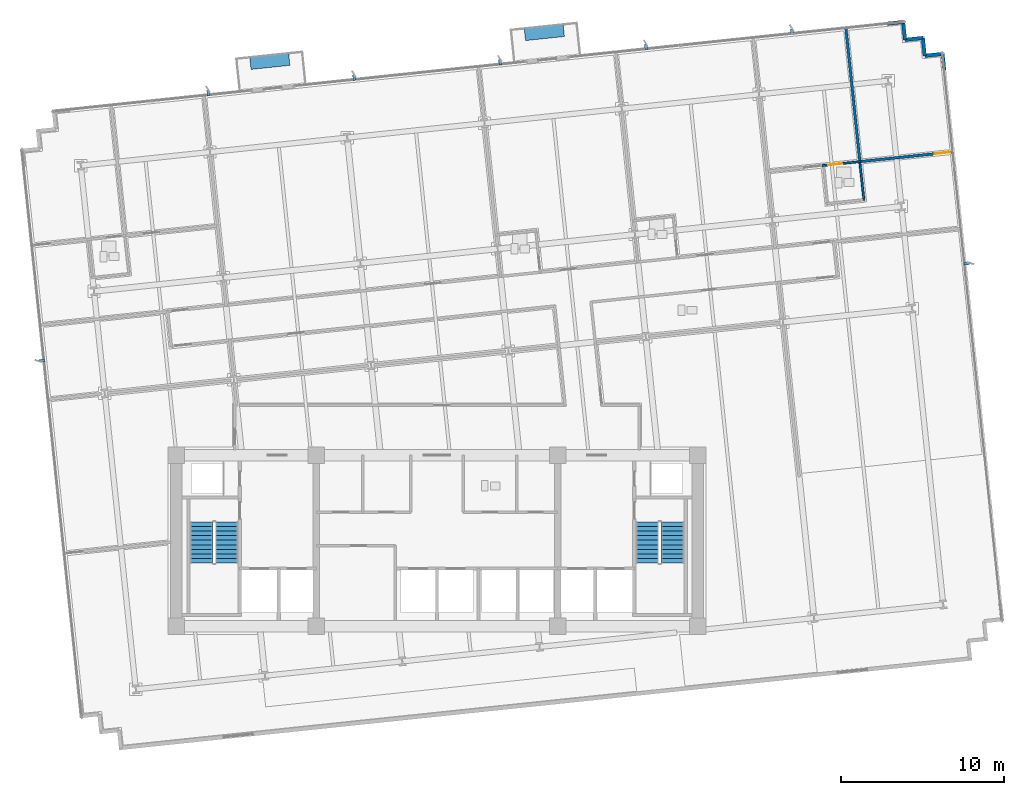
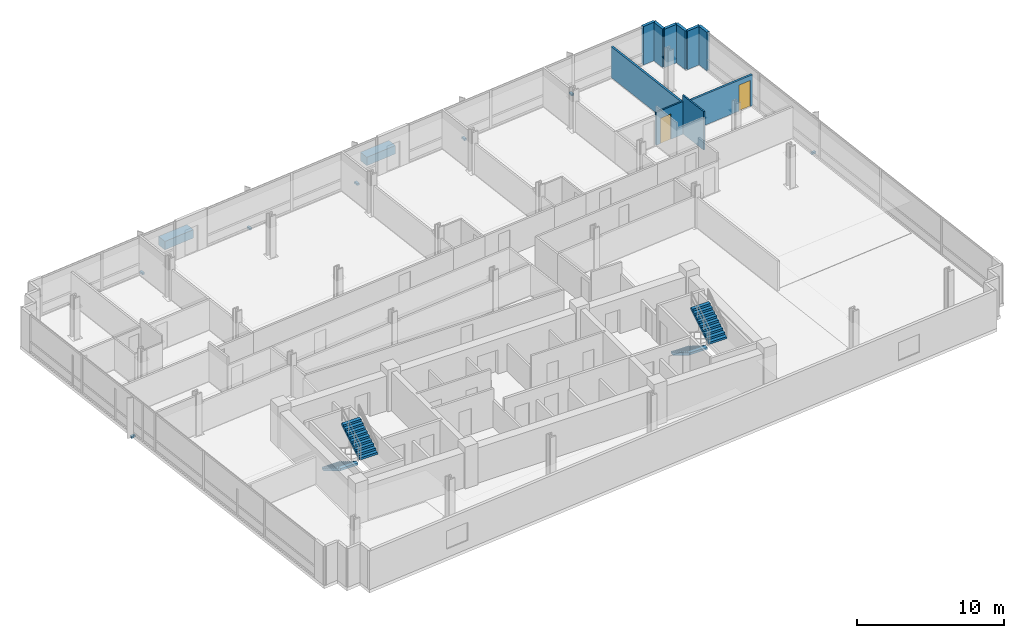
# One storey, part 13 of 18: 10 walls, 9 discrete accessories, 4 stair flights, 2 doors, 2 openings, 2 elements without a shape of their own.
"""IFC4 building model written with IfcOpenShell, lengths in metres."""

from ifc_helpers import new_model, si_unit, direction, frame, frame_2d, origin, origin_2d, place, context, subcontext, project, spatial, polyline, rectangle, outline, extrude, material, layer, layer_set, type_object, element, fill, aggregate, save


model = new_model("IFC4")

# Units and contexts
model_context = context("Model", 3, precision=1e-05, world=origin(), true_north=direction((0.0, 1.0)))
body_context = subcontext(model_context, "Body", "Model", "MODEL_VIEW")
ifc_project = project(units=[si_unit("LENGTHUNIT", "METRE"), si_unit("AREAUNIT", "SQUARE_METRE"), si_unit("VOLUMEUNIT", "CUBIC_METRE"), si_unit("PLANEANGLEUNIT", "RADIAN"), si_unit("MASSUNIT", "GRAM", prefix="KILO")], contexts=[model_context])

# Site, building, storey
site_placement = place(None, origin())
site = spatial("IfcSite", under=ifc_project, at=site_placement, CompositionType="ELEMENT")
building_placement = place(site_placement, origin())
building = spatial("IfcBuilding", under=site, at=building_placement, Name="Solmavex Isthmus Hotel", CompositionType="ELEMENT")
storey_placement = place(building_placement, frame((0.0, 0.0, 123.60009765625)))
storey = spatial("IfcBuildingStorey", under=building, at=storey_placement, Name="L33", CompositionType="ELEMENT", Elevation=123.60009765625)

# Walls
ifc_material_1 = material(Name="Precast Concrete C40/50", Category="concrete")
ifc_layer_1 = layer(ifc_material_1, 0.25)
ifc_layer_set_1 = layer_set([ifc_layer_1], Name="Precast Concrete C40/50")
wall_type_1 = type_object("IfcWallType", Name="EW-TWR-250", PredefinedType="STANDARD", material=ifc_layer_set_1)
wall_1_placement = place(storey_placement, frame((27.609130859375, 23.966552734375, 0.0), z_axis=(0.0, 0.0, 1.0), x_axis=(0.994516259927, 0.104582067016, 0.0)))
element("IfcWall", 1, at=wall_1_placement, inside=storey, type_object=wall_type_1, Name="Serrated Corner Facade Panel L33-14", PredefinedType="STANDARD", context=body_context, shape_type="SweptSolid", body=[
    extrude(rectangle(XDim=0.98974609375, YDim=0.219970703125, at=frame_2d((0.494873046875, 0.0))), origin(), (0.0, 0.0, 1.0), 3.18994140625),
])
for number, where, z_axis, x_axis, name in (
    (2, (28.593505859375, 24.070068359375, 0.0), (0.0, 0.0, 1.0), (0.104534592565, -0.994521251134, 0.0), "Serrated Corner Facade Panel L33-15"),
    (3, (28.70849609375, 22.97607421875, 0.0), (0.0, 0.0, 1.0), (0.994521251134, 0.104534592565, 0.0), "Serrated Corner Facade Panel L33-16"),
    (4, (29.802490234375, 23.091064453125, 0.0), (0.0, 0.0, 1.0), (0.104534592565, -0.994521251134, 0.0), "Serrated Corner Facade Panel L33-17"),
    (5, (29.91748046875, 21.9970703125, 0.0), (0.0, 0.0, 1.0), (0.994521251134, 0.104534592565, 0.0), "Serrated Corner Facade Panel L33-18"),
):
    element("IfcWall", number, at=place(storey_placement, frame(where, z_axis=z_axis, x_axis=x_axis)), inside=storey, type_object=wall_type_1, Name=name, PredefinedType="STANDARD", context=body_context, shape_type="SweptSolid", body=[
        extrude(rectangle(XDim=1.10009765625, YDim=0.219970703125, at=frame_2d((0.550048828125, 0.0))), origin(), (0.0, 0.0, 1.0), 3.18994140625),
    ])
wall_2_placement = place(storey_placement, frame((31.011474609375, 22.112060546875, 0.0), z_axis=(0.0, 0.0, 1.0), x_axis=(0.104556418955, -0.99451895671, 0.0)))
element("IfcWall", 6, at=wall_2_placement, inside=storey, type_object=wall_type_1, Name="Serrated Corner Facade Panel L33-19", PredefinedType="STANDARD", context=body_context, shape_type="SweptSolid", body=[
    extrude(rectangle(XDim=0.989990234375, YDim=0.219970703125, at=frame_2d((0.4951171875, 0.0))), origin(), (0.0, 0.0, 1.0), 3.18994140625),
])

# Wall, opening, door
ifc_material_2 = material(Name="Gypsum plasterboard lining", Category="gypsum")
ifc_layer_2 = layer(ifc_material_2, 0.159912109375)
ifc_layer_set_2 = layer_set([ifc_layer_2], Name="Gypsum plasterboard lining")
wall_type_2 = type_object("IfcWallType", Name="IW-COMP-160", PredefinedType="PARTITIONING", material=ifc_layer_set_2)
wall_3_placement = place(storey_placement, frame((25.890869140625, 15.49853515625, 0.0), z_axis=(0.0, 0.0, 1.0), x_axis=(0.994522696848, 0.104520837413, 0.0)))
wall_3 = element("IfcWall", 7, at=wall_3_placement, inside=storey, type_object=wall_type_2, Name="Interior Partition Wall W-L33-P049", PredefinedType="PARTITIONING", context=body_context, shape_type="SweptSolid", body=[
    extrude(rectangle(XDim=5.813720703125, YDim=0.159912109375, at=frame_2d((2.90673828125, 0.0))), origin(), (0.0, 0.0, 1.0), 2.55322265625),
])
opening_1_placement = place(wall_3_placement, frame((4.654052734375, 0.0, 0.0)))
opening_1 = element("IfcOpeningElement", 8, at=opening_1_placement, cuts=wall_3, Name="Opening ID-C095", PredefinedType="OPENING", context=body_context, shape_type="SweptSolid", body=[
    extrude(rectangle(XDim=0.949951171875, YDim=2.14990234375, at=frame_2d((0.47509765625, 1.074951171875))), frame((0.0, 0.08984375, 0.0), z_axis=(0.0, -1.0, 0.0), x_axis=(1.0, 0.0, 0.0)), (0.0, 0.0, 1.0), 0.179931640625),
])
ifc_material_3 = material(Name="Hardwood timber", Category="wood")
door_type_1 = type_object("IfcDoorType", Name="IDR-FD60-0950", OperationType="NOTDEFINED", PredefinedType="DOOR", material=ifc_material_3)
door_1_placement = place(opening_1_placement, origin())
door_1 = element("IfcDoor", 9, at=door_1_placement, inside=storey, type_object=door_type_1, Name="Ambassador Panorama Suite Panorama Sitting Study Door L33-12", OperationType="SINGLE_SWING_RIGHT", OverallHeight=2.14990234375, OverallWidth=0.949951171875, PredefinedType="DOOR", context=body_context, shape_type="SweptSolid", body=[
    extrude(rectangle(XDim=0.949951171875, YDim=2.14990234375, at=frame_2d((0.47509765625, 1.074951171875))), frame((0.0, 0.02490234375, 0.0), z_axis=(0.0, -1.0, 0.0), x_axis=(1.0, 0.0, 0.0)), (0.0, 0.0, 1.0), 0.050048828125),
])
fill(opening_1, door_1)

# Walls
wall_4_placement = place(storey_placement, frame((25.075927734375, 23.73046875, 0.0), z_axis=(0.0, 0.0, 1.0), x_axis=(0.104504368376, -0.994524427548, 0.0)))
element("IfcWall", 10, at=wall_4_placement, inside=storey, type_object=wall_type_2, Name="Interior Partition Wall W-L33-P054", PredefinedType="PARTITIONING", context=body_context, shape_type="SweptSolid", body=[
    extrude(rectangle(XDim=8.31201171875, YDim=0.159912109375, at=frame_2d((4.156005859375, 0.0))), origin(), (0.0, 0.0, 1.0), 2.55322265625),
])
ifc_layer_3 = layer(ifc_material_2, 0.1201171875)
ifc_layer_set_3 = layer_set([ifc_layer_3], Name="Gypsum plasterboard lining")
wall_type_3 = type_object("IfcWallType", Name="IW-PART-120", PredefinedType="PARTITIONING", material=ifc_layer_set_3)
wall_5_placement = place(storey_placement, frame((26.1904296875, 13.126953125, 0.0), z_axis=(0.0, 0.0, 1.0), x_axis=(-0.108711078051, 0.994073388392, 0.0)))
element("IfcWall", 11, at=wall_5_placement, inside=storey, type_object=wall_type_3, Name="Interior Partition Wall W-L33-P052", PredefinedType="PARTITIONING", context=body_context, shape_type="SweptSolid", body=[
    extrude(rectangle(XDim=2.429931640625, YDim=0.1201171875, at=frame_2d((1.21484375, 0.0))), origin(), (0.0, 0.0, 1.0), 3.18994140625),
])

# Wall, opening, door
wall_6_placement = place(storey_placement, frame((25.980224609375, 15.508056640625, 0.0), z_axis=(0.0, 0.0, 1.0), x_axis=(-0.994516727228, -0.104577623149, 0.0)))
wall_6 = element("IfcWall", 12, at=wall_6_placement, inside=storey, type_object=wall_type_3, Name="Interior Partition Wall W-L33-P055", PredefinedType="PARTITIONING", context=body_context, shape_type="SweptSolid", body=[
    extrude(rectangle(XDim=2.371826171875, YDim=0.1201171875, at=frame_2d((1.18603515625, 0.0))), origin(), (0.0, 0.0, 1.0), 2.718017578125),
])
opening_2_placement = place(wall_6_placement, frame((1.14599609375, 0.0, 0.0)))
opening_2 = element("IfcOpeningElement", 13, at=opening_2_placement, cuts=wall_6, Name="Opening ID-U085", PredefinedType="OPENING", context=body_context, shape_type="SweptSolid", body=[
    extrude(rectangle(XDim=0.85009765625, YDim=2.10009765625, at=frame_2d((0.425048828125, 1.050048828125))), frame((0.0, 0.070068359375, 0.0), z_axis=(0.0, -1.0, 0.0), x_axis=(1.0, 0.0, 0.0)), (0.0, 0.0, 1.0), 0.14013671875),
])
door_type_2 = type_object("IfcDoorType", Name="IDR-UNR-0850", OperationType="NOTDEFINED", PredefinedType="DOOR", material=ifc_material_3)
door_2_placement = place(opening_2_placement, frame((0.85009765625, 0.0, 0.0), z_axis=(0.0, 0.0, 1.0), x_axis=(-1.0, 0.0, 0.0)))
door_2 = element("IfcDoor", 14, at=door_2_placement, inside=storey, type_object=door_type_2, Name="En-suite Bathroom Door L33-13", OperationType="SINGLE_SWING_LEFT", OverallHeight=2.10009765625, OverallWidth=0.85009765625, PredefinedType="DOOR", context=body_context, shape_type="SweptSolid", body=[
    extrude(rectangle(XDim=0.85009765625, YDim=2.10009765625, at=frame_2d((0.425048828125, 1.050048828125))), frame((0.0, 0.02490234375, 0.0), z_axis=(0.0, -1.0, 0.0), x_axis=(1.0, 0.0, 0.0)), (0.0, 0.0, 1.0), 0.050048828125),
])
fill(opening_2, door_2)

# Stair, stair flights
ifc_material_4 = material(Name="Concrete C40/50", Category="concrete")
stair_type_1 = type_object("IfcStairType", Name="STR-ST-1", PredefinedType="HALF_TURN_STAIR", material=ifc_material_4)
stair_1_placement = place(storey_placement, origin())
stair_1 = element("IfcStair", 15, at=stair_1_placement, inside=storey, type_object=stair_type_1, Name="L33 Protected Exit Stair ST-1", PredefinedType="HALF_TURN_STAIR")
stair_flight_type_1 = type_object("IfcStairFlightType", Name="SFL-ST-1", PredefinedType="STRAIGHT", material=ifc_material_4)
stair_flight_1_placement = place(storey_placement, frame((-14.449951171875, -6.60009765625, 0.0), z_axis=(0.0, 0.0, 1.0), x_axis=(0.0, -1.0, 0.0)))
stair_flight_1 = element("IfcStairFlight", 16, at=stair_flight_1_placement, type_object=stair_flight_type_1, Name="ST-1 flight 1", NumberOfRisers=10, NumberOfTreads=9, PredefinedType="STRAIGHT", RiserHeight=0.1725, TreadLength=0.28, context=body_context, shape_type="SweptSolid", body=[
    extrude(outline(polyline([(0.0, 0.0), (0.0, 0.172607421875), (0.280029296875, 0.172607421875), (0.280029296875, 0.344970703125), (0.56005859375, 0.344970703125), (0.56005859375, 0.517578125), (0.840087890625, 0.517578125), (0.840087890625, 0.68994140625), (1.1201171875, 0.68994140625), (1.1201171875, 0.862548828125), (1.39990234375, 0.862548828125), (1.39990234375, 1.034912109375), (1.679931640625, 1.034912109375), (1.679931640625, 1.20751953125), (1.9599609375, 1.20751953125), (1.9599609375, 1.3798828125), (2.239990234375, 1.3798828125), (2.239990234375, 1.552490234375), (2.52001953125, 1.552490234375), (2.52001953125, 1.72509765625), (2.52001953125, 1.37646484375), (0.285888671875, 0.0), (0.0, 0.0)])), frame((0.0, 0.699951171875, 0.0), z_axis=(0.0, -1.0, 0.0), x_axis=(1.0, 0.0, 0.0)), (0.0, 0.0, 1.0), 1.39990234375),
])
stair_flight_2_placement = place(storey_placement, frame((-12.89990234375, -9.1201171875, 1.724853515625), z_axis=(0.0, 0.0, 1.0), x_axis=(0.0, 1.0, 0.0)))
stair_flight_2 = element("IfcStairFlight", 17, at=stair_flight_2_placement, type_object=stair_flight_type_1, Name="ST-1 flight 2", NumberOfRisers=10, NumberOfTreads=9, PredefinedType="STRAIGHT", RiserHeight=0.1725, TreadLength=0.28, context=body_context, shape_type="SweptSolid", body=[
    extrude(outline(polyline([(0.0, 0.0), (0.0, 0.172607421875), (0.280029296875, 0.172607421875), (0.280029296875, 0.344970703125), (0.56005859375, 0.344970703125), (0.56005859375, 0.517578125), (0.840087890625, 0.517578125), (0.840087890625, 0.68994140625), (1.1201171875, 0.68994140625), (1.1201171875, 0.862548828125), (1.39990234375, 0.862548828125), (1.39990234375, 1.034912109375), (1.679931640625, 1.034912109375), (1.679931640625, 1.20751953125), (1.9599609375, 1.20751953125), (1.9599609375, 1.3798828125), (2.239990234375, 1.3798828125), (2.239990234375, 1.552490234375), (2.52001953125, 1.552490234375), (2.52001953125, 1.72509765625), (2.52001953125, 1.37646484375), (0.285888671875, 0.0), (0.0, 0.0)])), frame((0.0, 0.699951171875, 0.0), z_axis=(0.0, -1.0, 0.0), x_axis=(1.0, 0.0, 0.0)), (0.0, 0.0, 1.0), 1.39990234375),
])
aggregate(stair_1, [stair_flight_1, stair_flight_2])

stair_type_2 = type_object("IfcStairType", Name="STR-ST-2", PredefinedType="HALF_TURN_STAIR", material=ifc_material_4)
stair_2_placement = place(storey_placement, origin())
stair_2 = element("IfcStair", 18, at=stair_2_placement, inside=storey, type_object=stair_type_2, Name="L33 Protected Exit Stair ST-2", PredefinedType="HALF_TURN_STAIR")
stair_flight_type_2 = type_object("IfcStairFlightType", Name="SFL-ST-2", PredefinedType="STRAIGHT", material=ifc_material_4)
stair_flight_3_placement = place(storey_placement, frame((12.89990234375, -6.60009765625, 0.0), z_axis=(0.0, 0.0, 1.0), x_axis=(0.0, -1.0, 0.0)))
stair_flight_3 = element("IfcStairFlight", 19, at=stair_flight_3_placement, type_object=stair_flight_type_2, Name="ST-2 flight 1", NumberOfRisers=10, NumberOfTreads=9, PredefinedType="STRAIGHT", RiserHeight=0.1725, TreadLength=0.28, context=body_context, shape_type="SweptSolid", body=[
    extrude(outline(polyline([(0.0, 0.0), (0.0, 0.172607421875), (0.280029296875, 0.172607421875), (0.280029296875, 0.344970703125), (0.56005859375, 0.344970703125), (0.56005859375, 0.517578125), (0.840087890625, 0.517578125), (0.840087890625, 0.68994140625), (1.1201171875, 0.68994140625), (1.1201171875, 0.862548828125), (1.39990234375, 0.862548828125), (1.39990234375, 1.034912109375), (1.679931640625, 1.034912109375), (1.679931640625, 1.20751953125), (1.9599609375, 1.20751953125), (1.9599609375, 1.3798828125), (2.239990234375, 1.3798828125), (2.239990234375, 1.552490234375), (2.52001953125, 1.552490234375), (2.52001953125, 1.72509765625), (2.52001953125, 1.37646484375), (0.285888671875, 0.0), (0.0, 0.0)])), frame((0.0, 0.699951171875, 0.0), z_axis=(0.0, -1.0, 0.0), x_axis=(1.0, 0.0, 0.0)), (0.0, 0.0, 1.0), 1.39990234375),
])
stair_flight_4_placement = place(storey_placement, frame((14.449951171875, -9.1201171875, 1.724853515625), z_axis=(0.0, 0.0, 1.0), x_axis=(0.0, 1.0, 0.0)))
stair_flight_4 = element("IfcStairFlight", 20, at=stair_flight_4_placement, type_object=stair_flight_type_2, Name="ST-2 flight 2", NumberOfRisers=10, NumberOfTreads=9, PredefinedType="STRAIGHT", RiserHeight=0.1725, TreadLength=0.28, context=body_context, shape_type="SweptSolid", body=[
    extrude(outline(polyline([(0.0, 0.0), (0.0, 0.172607421875), (0.280029296875, 0.172607421875), (0.280029296875, 0.344970703125), (0.56005859375, 0.344970703125), (0.56005859375, 0.517578125), (0.840087890625, 0.517578125), (0.840087890625, 0.68994140625), (1.1201171875, 0.68994140625), (1.1201171875, 0.862548828125), (1.39990234375, 0.862548828125), (1.39990234375, 1.034912109375), (1.679931640625, 1.034912109375), (1.679931640625, 1.20751953125), (1.9599609375, 1.20751953125), (1.9599609375, 1.3798828125), (2.239990234375, 1.3798828125), (2.239990234375, 1.552490234375), (2.52001953125, 1.552490234375), (2.52001953125, 1.72509765625), (2.52001953125, 1.37646484375), (0.285888671875, 0.0), (0.0, 0.0)])), frame((0.0, 0.699951171875, 0.0), z_axis=(0.0, -1.0, 0.0), x_axis=(1.0, 0.0, 0.0)), (0.0, 0.0, 1.0), 1.39990234375),
])
aggregate(stair_2, [stair_flight_3, stair_flight_4])

# Discrete accessories
ifc_material_5 = material(Name="Steel ASTM A572 Grade 50", Category="steel")
discrete_accessory_type_1 = type_object("IfcDiscreteAccessoryType", Name="ACC-BRK-FIN", PredefinedType="BRACKET", material=ifc_material_5)
for number, where, z_axis, x_axis, name in (
    (21, (-14.025390625, 19.72119140625, -0.169921875), (0.0, 0.0, 1.0), (-0.104528463268, 0.994521895368, 0.0), "Facade Fin Support Bracket L33-N1"),
    (22, (-5.07470703125, 20.662109375, -0.169921875), (0.0, 0.0, 1.0), (-0.104528463268, 0.994521895368, 0.0), "Facade Fin Support Bracket L33-N2"),
    (23, (3.8759765625, 21.602783203125, -0.169921875), (0.0, 0.0, 1.0), (-0.104528463268, 0.994521895368, 0.0), "Facade Fin Support Bracket L33-N3"),
    (24, (12.82666015625, 22.54345703125, -0.169921875), (0.0, 0.0, 1.0), (-0.104528463268, 0.994521895368, 0.0), "Facade Fin Support Bracket L33-N4"),
    (25, (21.777587890625, 23.484375, -0.169921875), (0.0, 0.0, 1.0), (-0.104528463268, 0.994521895368, 0.0), "Facade Fin Support Bracket L33-N5"),
    (26, (-24.234130859375, 3.294189453125, -0.169921875), (0.0, 0.0, 1.0), (-0.994521895368, -0.104528463268, 0.0), "Facade Fin Support Bracket L33-W1"),
    (27, (32.493408203125, 9.256591796875, -0.169921875), (0.0, 0.0, 1.0), (0.994521895368, 0.104528463268, 0.0), "Facade Fin Support Bracket L33-E1"),
):
    element("IfcDiscreteAccessory", number, at=place(storey_placement, frame(where, z_axis=z_axis, x_axis=x_axis)), inside=storey, type_object=discrete_accessory_type_1, Name=name, PredefinedType="BRACKET", context=body_context, shape_type="SweptSolid", body=[
        extrude(rectangle(XDim=0.340087890625, YDim=0.179931640625, at=origin_2d()), origin(), (0.0, 0.0, 1.0), 0.159912109375),
    ])
discrete_accessory_type_2 = type_object("IfcDiscreteAccessoryType", Name="ACC-PLN-BALC", PredefinedType="USERDEFINED", material=ifc_material_1)
for number, where, z_axis, x_axis, name in (
    (28, (-10.255859375, 21.656005859375, 0.0), (0.0, 0.0, 1.0), (0.994521895368, 0.104528463268, 0.0), "Tree-Balcony Architectural Planter L33-B1"),
    (29, (6.583251953125, 23.42578125, 0.0), (0.0, 0.0, 1.0), (0.994521895368, 0.104528463268, 0.0), "Tree-Balcony Architectural Planter L33-B2"),
):
    element("IfcDiscreteAccessory", number, at=place(storey_placement, frame(where, z_axis=z_axis, x_axis=x_axis)), inside=storey, type_object=discrete_accessory_type_2, Name=name, ObjectType="PLANTER", PredefinedType="USERDEFINED", context=body_context, shape_type="SweptSolid", body=[
        extrude(rectangle(XDim=2.39990234375, YDim=0.75, at=origin_2d()), origin(), (0.0, 0.0, 1.0), 0.699951171875),
    ])

save(model, "model.ifc")
